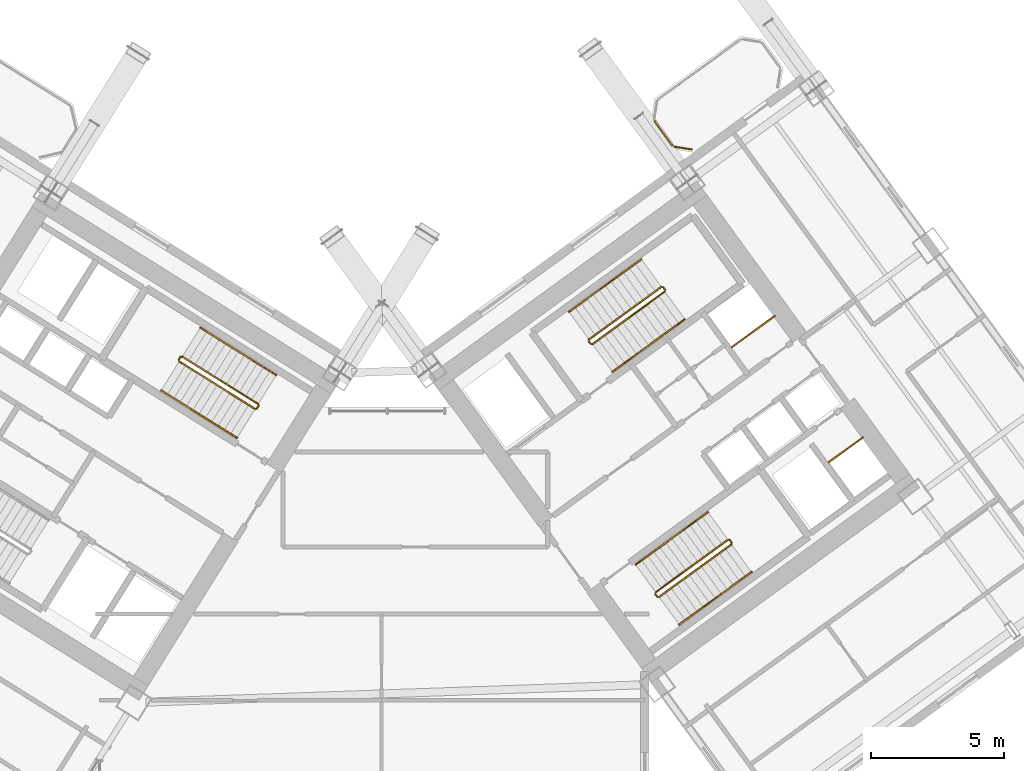
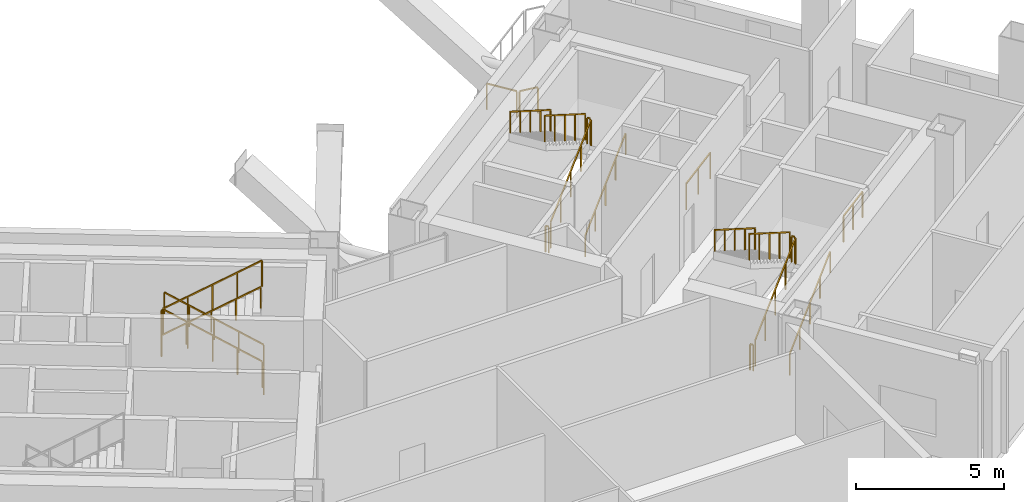
# One storey, part 29 of 30: 28 railings.
"""IFC4 building model written with IfcOpenShell, lengths in metres."""

from ifc_helpers import new_model, si_unit, direction, frame, origin, origin_2d, place, context, subcontext, project, spatial, rectangle, extrude, source, transform, mapped, material, type_object, element, save


model = new_model("IFC4")

# Units and contexts
model_context = context("Model", 3, precision=1e-05, world=origin(), true_north=direction((0.0, 1.0)))
body_context = subcontext(model_context, "Body", "Model", "MODEL_VIEW")
ifc_project = project(units=[si_unit("LENGTHUNIT", "METRE"), si_unit("AREAUNIT", "SQUARE_METRE"), si_unit("VOLUMEUNIT", "CUBIC_METRE"), si_unit("PLANEANGLEUNIT", "RADIAN"), si_unit("MASSUNIT", "GRAM", prefix="KILO")], contexts=[model_context])

# Site, building, storey
site_placement = place(None, origin())
site = spatial("IfcSite", under=ifc_project, at=site_placement, CompositionType="ELEMENT")
building_placement = place(site_placement, origin())
building = spatial("IfcBuilding", under=site, at=building_placement, Name="Tlacorven Tower", CompositionType="ELEMENT")
storey_placement = place(building_placement, frame((0.0, 0.0, 67.199951171875)))
storey = spatial("IfcBuildingStorey", under=building, at=storey_placement, Name="L17", CompositionType="ELEMENT", Elevation=67.199951171875)

# Railings
ifc_material = material(Name="Aluminium and painted steel balustrade", Category="steel")
railing_type_1 = type_object("IfcRailingType", Name="RL-GRD-1100", PredefinedType="GUARDRAIL", material=ifc_material)
shared_shape_1 = source(origin(), body_context, "Body", "SweptSolid", [
    extrude(rectangle(XDim=0.048095703125, YDim=0.048095703125, at=origin_2d()), frame((0.0, 0.0, 1.076171875), z_axis=(0.808947177504, 0.587881334972, 0.0), x_axis=(-0.587881334972, 0.808947177504, 0.0)), (0.0, 0.0, 1.0), 2.0),
    extrude(rectangle(XDim=0.0419921875, YDim=0.0419921875, at=origin_2d()), origin(), (0.0, 0.0, 1.0), 1.052001953125),
    extrude(rectangle(XDim=0.0419921875, YDim=0.0419921875, at=origin_2d()), frame((0.80908203125, 0.587890625, 0.0)), (0.0, 0.0, 1.0), 1.052001953125),
    extrude(rectangle(XDim=0.0419921875, YDim=0.0419921875, at=origin_2d()), frame((1.617919921875, 1.17578125, 0.0)), (0.0, 0.0, 1.0), 1.052001953125),
])
railing_1_placement = place(storey_placement, frame((55.506103515625, 25.438232421875, 0.0)))
element("IfcRailing", 1, at=railing_1_placement, inside=storey, type_object=railing_type_1, Name="L17 Electrical Riser E Shaft Guard 1", PredefinedType="GUARDRAIL", context=body_context, shape_type="MappedRepresentation", body=[
    mapped(shared_shape_1, transform((0.0, 0.0, 0.0), scale=1.0)),
])
shared_shape_2 = source(origin(), body_context, "Body", "SweptSolid", [
    extrude(rectangle(XDim=0.048095703125, YDim=0.048095703125, at=origin_2d()), frame((0.0, 0.0, 1.076171875), z_axis=(0.809029975545, 0.58776738483, 0.0), x_axis=(-0.58776738483, 0.809029975545, 0.0)), (0.0, 0.0, 1.0), 1.580078125),
    extrude(rectangle(XDim=0.0419921875, YDim=0.0419921875, at=origin_2d()), origin(), (0.0, 0.0, 1.0), 1.052001953125),
    extrude(rectangle(XDim=0.0419921875, YDim=0.0419921875, at=origin_2d()), frame((0.63916015625, 0.46435546875, 0.0)), (0.0, 0.0, 1.0), 1.052001953125),
    extrude(rectangle(XDim=0.0419921875, YDim=0.0419921875, at=origin_2d()), frame((1.2783203125, 0.9287109375, 0.0)), (0.0, 0.0, 1.0), 1.052001953125),
])
railing_2_placement = place(storey_placement, frame((59.160888671875, 21.122314453125, 0.0)))
element("IfcRailing", 2, at=railing_2_placement, inside=storey, type_object=railing_type_1, Name="L17 Smoke Riser E Shaft Guard 1", PredefinedType="GUARDRAIL", context=body_context, shape_type="MappedRepresentation", body=[
    mapped(shared_shape_2, transform((0.0, 0.0, 0.0), scale=1.0)),
])
railing_type_2 = type_object("IfcRailingType", Name="RL-BAL-1100", PredefinedType="BALUSTRADE", material=ifc_material)
shared_shape_3 = source(origin(), body_context, "Body", "SweptSolid", [
    extrude(rectangle(XDim=0.048095703125, YDim=0.048095703125, at=origin_2d()), frame((0.0, 0.0, 1.076171875), z_axis=(-0.987718317463, 0.156245081039, 0.0), x_axis=(-0.156245081039, -0.987718317463, 0.0)), (0.0, 0.0, 1.0), 0.66552734375),
    extrude(rectangle(XDim=0.0419921875, YDim=0.0419921875, at=origin_2d()), origin(), (0.0, 0.0, 1.0), 1.052001953125),
    extrude(rectangle(XDim=0.0419921875, YDim=0.0419921875, at=origin_2d()), frame((-0.657470703125, 0.10400390625, 0.0)), (0.0, 0.0, 1.0), 1.052001953125),
])
railing_3_placement = place(storey_placement, frame((54.00341796875, 32.8759765625, 0.0)))
element("IfcRailing", 3, at=railing_3_placement, inside=storey, type_object=railing_type_2, Name="BAL-L17-E-IN Guard Railing 1", PredefinedType="BALUSTRADE", context=body_context, shape_type="MappedRepresentation", body=[
    mapped(shared_shape_3, transform((0.0, 0.0, 0.0), scale=1.0)),
])
shared_shape_4 = source(origin(), body_context, "Body", "SweptSolid", [
    extrude(rectangle(XDim=0.048095703125, YDim=0.048095703125, at=origin_2d()), frame((0.0, 0.0, 1.076171875), z_axis=(-0.587740817519, 0.809049276263, 0.0), x_axis=(-0.809049276263, -0.587740817519, 0.0)), (0.0, 0.0, 1.0), 1.112060546875),
    extrude(rectangle(XDim=0.0419921875, YDim=0.0419921875, at=origin_2d()), origin(), (0.0, 0.0, 1.0), 1.052001953125),
    extrude(rectangle(XDim=0.0419921875, YDim=0.0419921875, at=origin_2d()), frame((-0.653564453125, 0.899658203125, 0.0)), (0.0, 0.0, 1.0), 1.052001953125),
])
railing_4_placement = place(storey_placement, frame((53.26708984375, 33.0283203125, 0.0)))
element("IfcRailing", 4, at=railing_4_placement, inside=storey, type_object=railing_type_2, Name="BAL-L17-E-IN Guard Railing 2", PredefinedType="BALUSTRADE", context=body_context, shape_type="MappedRepresentation", body=[
    mapped(shared_shape_4, transform((0.0, 0.0, 0.0), scale=1.0)),
])
shared_shape_5 = source(origin(), body_context, "Body", "SweptSolid", [
    extrude(rectangle(XDim=0.048095703125, YDim=0.048095703125, at=origin_2d()), frame((0.0, 0.0, 1.076171875), z_axis=(-0.530546985787, -0.847655529016, 0.0), x_axis=(0.847655529016, -0.530546985787, 0.0)), (0.0, 0.0, 1.0), 0.1201171875),
    extrude(rectangle(XDim=0.0419921875, YDim=0.0419921875, at=origin_2d()), origin(), (0.0, 0.0, 1.0), 1.052001953125),
    extrude(rectangle(XDim=0.0419921875, YDim=0.0419921875, at=origin_2d()), frame((-0.063720703125, -0.101806640625, 0.0)), (0.0, 0.0, 1.0), 1.052001953125),
])
for number, where, name in (
    (5, (34.7939453125, 25.07421875, 2.25), "L17 ST-W2 stair guard 2"),
    (6, (37.728271484375, 23.24072265625, 0.0), "L17 ST-W2 stair guard 4"),
):
    element("IfcRailing", number, at=place(storey_placement, frame(where)), inside=storey, type_object=railing_type_1, Name=name, PredefinedType="GUARDRAIL", context=body_context, shape_type="MappedRepresentation", body=[
        mapped(shared_shape_5, transform((0.0, 0.0, 0.0), scale=1.0)),
    ])
shared_shape_6 = source(origin(), body_context, "Body", "SweptSolid", [
    extrude(rectangle(XDim=0.048095703125, YDim=0.048095703125, at=origin_2d()), frame((0.0, 0.0, 1.076171875), z_axis=(-0.721354668439, 0.45076168254, 0.525795918465), x_axis=(-0.529927092104, -0.84804320471, 0.0)), (0.0, 0.0, 1.0), 3.949951171875),
    extrude(rectangle(XDim=0.0419921875, YDim=0.0419921875, at=origin_2d()), origin(), (0.0, 0.0, 1.0), 1.052001953125),
    extrude(rectangle(XDim=0.0419921875, YDim=0.0419921875, at=origin_2d()), frame((-0.71240234375, 0.445068359375, 0.519287109375)), (0.0, 0.0, 1.0), 1.052001953125),
    extrude(rectangle(XDim=0.0419921875, YDim=0.0419921875, at=origin_2d()), frame((-1.4248046875, 0.89013671875, 1.03857421875)), (0.0, 0.0, 1.0), 1.052001953125),
    extrude(rectangle(XDim=0.0419921875, YDim=0.0419921875, at=origin_2d()), frame((-2.136962890625, 1.33544921875, 1.5576171875)), (0.0, 0.0, 1.0), 1.052001953125),
    extrude(rectangle(XDim=0.0419921875, YDim=0.0419921875, at=origin_2d()), frame((-2.849365234375, 1.780517578125, 2.076904296875)), (0.0, 0.0, 1.0), 1.052001953125),
])
railing_5_placement = place(storey_placement, frame((37.712158203125, 23.3095703125, 0.173095703125)))
element("IfcRailing", 7, at=railing_5_placement, inside=storey, type_object=railing_type_1, Name="L17 ST-W2 stair guard 1", PredefinedType="GUARDRAIL", context=body_context, shape_type="MappedRepresentation", body=[
    mapped(shared_shape_6, transform((0.0, 0.0, 0.0), scale=1.0)),
])
railing_type_3 = type_object("IfcRailingType", Name="RL-HND-0900", PredefinedType="HANDRAIL", material=ifc_material)
shared_shape_7 = source(origin(), body_context, "Body", "SweptSolid", [
    extrude(rectangle(XDim=0.048095703125, YDim=0.048095703125, at=origin_2d()), frame((0.0, 0.0, 0.8759765625), z_axis=(-0.721340775611, 0.4507761838, 0.52580254617), x_axis=(-0.529946692594, -0.848030956397, 0.0)), (0.0, 0.0, 1.0), 1.97509765625),
    extrude(rectangle(XDim=0.0419921875, YDim=0.0419921875, at=origin_2d()), origin(), (0.0, 0.0, 1.0), 0.851806640625),
    extrude(rectangle(XDim=0.0419921875, YDim=0.0419921875, at=origin_2d()), frame((-0.71240234375, 0.4453125, 0.519287109375)), (0.0, 0.0, 1.0), 0.851806640625),
    extrude(rectangle(XDim=0.0419921875, YDim=0.0419921875, at=origin_2d()), frame((-1.4248046875, 0.890380859375, 1.03857421875)), (0.0, 0.0, 1.0), 0.851806640625),
])
railing_6_placement = place(storey_placement, frame((38.390625, 24.39501953125, 0.173095703125)))
element("IfcRailing", 8, at=railing_6_placement, inside=storey, type_object=railing_type_3, Name="L17 ST-W2 stair handrail 1", PredefinedType="HANDRAIL", context=body_context, shape_type="MappedRepresentation", body=[
    mapped(shared_shape_7, transform((0.0, 0.0, 0.0), scale=1.0)),
])
shared_shape_8 = source(origin(), body_context, "Body", "SweptSolid", [
    extrude(rectangle(XDim=0.048095703125, YDim=0.048095703125, at=origin_2d()), frame((0.0, 0.0, 0.8759765625), z_axis=(-0.721427851237, 0.45070698177, 0.525742400842), x_axis=(-0.52984217967, -0.848096259066, 0.0)), (0.0, 0.0, 1.0), 1.97509765625),
    extrude(rectangle(XDim=0.0419921875, YDim=0.0419921875, at=origin_2d()), origin(), (0.0, 0.0, 1.0), 0.851806640625),
    extrude(rectangle(XDim=0.0419921875, YDim=0.0419921875, at=origin_2d()), frame((-0.71240234375, 0.445068359375, 0.51904296875)), (0.0, 0.0, 1.0), 0.851806640625),
    extrude(rectangle(XDim=0.0419921875, YDim=0.0419921875, at=origin_2d()), frame((-1.4248046875, 0.89013671875, 1.038330078125)), (0.0, 0.0, 1.0), 0.851806640625),
])
railing_7_placement = place(storey_placement, frame((36.9658203125, 25.285400390625, 1.211669921875)))
element("IfcRailing", 9, at=railing_7_placement, inside=storey, type_object=railing_type_3, Name="L17 ST-W2 stair handrail 2", PredefinedType="HANDRAIL", context=body_context, shape_type="MappedRepresentation", body=[
    mapped(shared_shape_8, transform((0.0, 0.0, 0.0), scale=1.0)),
])
shared_shape_9 = source(origin(), body_context, "Body", "SweptSolid", [
    extrude(rectangle(XDim=0.048095703125, YDim=0.048095703125, at=origin_2d()), frame((0.0, 0.0, 0.8759765625), z_axis=(0.721387654753, -0.450805479247, 0.525713107551), x_axis=(0.529946692594, 0.848030956397, 0.0)), (0.0, 0.0, 1.0), 1.97509765625),
    extrude(rectangle(XDim=0.0419921875, YDim=0.0419921875, at=origin_2d()), origin(), (0.0, 0.0, 1.0), 0.851806640625),
    extrude(rectangle(XDim=0.0419921875, YDim=0.0419921875, at=origin_2d()), frame((0.71240234375, -0.4453125, 0.51904296875)), (0.0, 0.0, 1.0), 0.851806640625),
    extrude(rectangle(XDim=0.0419921875, YDim=0.0419921875, at=origin_2d()), frame((1.4248046875, -0.890380859375, 1.038330078125)), (0.0, 0.0, 1.0), 0.851806640625),
])
railing_8_placement = place(storey_placement, frame((35.49267578125, 22.927734375, 3.461669921875)))
element("IfcRailing", 10, at=railing_8_placement, inside=storey, type_object=railing_type_3, Name="L17 ST-W2 stair handrail 4", PredefinedType="HANDRAIL", context=body_context, shape_type="MappedRepresentation", body=[
    mapped(shared_shape_9, transform((0.0, 0.0, 0.0), scale=1.0)),
])
shared_shape_10 = source(origin(), body_context, "Body", "SweptSolid", [
    extrude(rectangle(XDim=0.048095703125, YDim=0.048095703125, at=origin_2d()), frame((0.0, 0.0, 1.076171875), z_axis=(0.721354668439, -0.45076168254, 0.525795918465), x_axis=(0.529927092104, 0.84804320471, 0.0)), (0.0, 0.0, 1.0), 3.949951171875),
    extrude(rectangle(XDim=0.0419921875, YDim=0.0419921875, at=origin_2d()), origin(), (0.0, 0.0, 1.0), 1.052001953125),
    extrude(rectangle(XDim=0.0419921875, YDim=0.0419921875, at=origin_2d()), frame((0.71240234375, -0.445068359375, 0.519287109375)), (0.0, 0.0, 1.0), 1.052001953125),
    extrude(rectangle(XDim=0.0419921875, YDim=0.0419921875, at=origin_2d()), frame((1.4248046875, -0.89013671875, 1.03857421875)), (0.0, 0.0, 1.0), 1.052001953125),
    extrude(rectangle(XDim=0.0419921875, YDim=0.0419921875, at=origin_2d()), frame((2.136962890625, -1.33544921875, 1.5576171875)), (0.0, 0.0, 1.0), 1.052001953125),
    extrude(rectangle(XDim=0.0419921875, YDim=0.0419921875, at=origin_2d()), frame((2.849365234375, -1.780517578125, 2.076904296875)), (0.0, 0.0, 1.0), 1.052001953125),
])
railing_9_placement = place(storey_placement, frame((34.746337890625, 24.903564453125, 2.423095703125)))
element("IfcRailing", 11, at=railing_9_placement, inside=storey, type_object=railing_type_1, Name="L17 ST-W2 stair guard 3", PredefinedType="GUARDRAIL", context=body_context, shape_type="MappedRepresentation", body=[
    mapped(shared_shape_10, transform((0.0, 0.0, 0.0), scale=1.0)),
])
shared_shape_11 = source(origin(), body_context, "Body", "SweptSolid", [
    extrude(rectangle(XDim=0.048095703125, YDim=0.048095703125, at=origin_2d()), frame((0.0, 0.0, 0.8759765625), z_axis=(0.721380964259, -0.45067768946, 0.525831840637), x_axis=(0.52984217967, 0.848096259066, 0.0)), (0.0, 0.0, 1.0), 1.97509765625),
    extrude(rectangle(XDim=0.0419921875, YDim=0.0419921875, at=origin_2d()), origin(), (0.0, 0.0, 1.0), 0.851806640625),
    extrude(rectangle(XDim=0.0419921875, YDim=0.0419921875, at=origin_2d()), frame((0.71240234375, -0.445068359375, 0.519287109375)), (0.0, 0.0, 1.0), 0.851806640625),
    extrude(rectangle(XDim=0.0419921875, YDim=0.0419921875, at=origin_2d()), frame((1.4248046875, -0.89013671875, 1.03857421875)), (0.0, 0.0, 1.0), 0.851806640625),
])
railing_10_placement = place(storey_placement, frame((34.06787109375, 23.81787109375, 2.423095703125)))
element("IfcRailing", 12, at=railing_10_placement, inside=storey, type_object=railing_type_3, Name="L17 ST-W2 stair handrail 3", PredefinedType="HANDRAIL", context=body_context, shape_type="MappedRepresentation", body=[
    mapped(shared_shape_11, transform((0.0, 0.0, 0.0), scale=1.0)),
])
shared_shape_12 = source(origin(), body_context, "Body", "SweptSolid", [
    extrude(rectangle(XDim=0.048095703125, YDim=0.048095703125, at=origin_2d()), frame((0.0, 0.0, 1.076171875), z_axis=(-0.587567097037, 0.809175448515, 0.0), x_axis=(-0.809175448515, -0.587567097037, 0.0)), (0.0, 0.0, 1.0), 0.1201171875),
    extrude(rectangle(XDim=0.0419921875, YDim=0.0419921875, at=origin_2d()), origin(), (0.0, 0.0, 1.0), 1.052001953125),
    extrude(rectangle(XDim=0.0419921875, YDim=0.0419921875, at=origin_2d()), frame((-0.070556640625, 0.09716796875, 0.0)), (0.0, 0.0, 1.0), 1.052001953125),
])
for number, where, name in (
    (13, (53.006591796875, 27.6025390625, 2.25), "L17 ST-E1 stair guard 2"),
    (14, (55.510498046875, 18.099365234375, 2.25), "L17 ST-E2 stair guard 2"),
    (15, (52.71142578125, 16.065673828125, 0.0), "L17 ST-E2 stair guard 4"),
):
    element("IfcRailing", number, at=place(storey_placement, frame(where)), inside=storey, type_object=railing_type_1, Name=name, PredefinedType="GUARDRAIL", context=body_context, shape_type="MappedRepresentation", body=[
        mapped(shared_shape_12, transform((0.0, 0.0, 0.0), scale=1.0)),
    ])
shared_shape_13 = source(origin(), body_context, "Body", "SweptSolid", [
    extrude(rectangle(XDim=0.048095703125, YDim=0.048095703125, at=origin_2d()), frame((0.0, 0.0, 1.076171875), z_axis=(-0.587201422542, 0.809440849824, 0.0), x_axis=(-0.809440849824, -0.587201422542, 0.0)), (0.0, 0.0, 1.0), 0.11962890625),
    extrude(rectangle(XDim=0.0419921875, YDim=0.0419921875, at=origin_2d()), origin(), (0.0, 0.0, 1.0), 1.052001953125),
    extrude(rectangle(XDim=0.0419921875, YDim=0.0419921875, at=origin_2d()), frame((-0.0703125, 0.096923828125, 0.0)), (0.0, 0.0, 1.0), 1.052001953125),
])
railing_11_placement = place(storey_placement, frame((50.207275390625, 25.56884765625, 0.0)))
element("IfcRailing", 16, at=railing_11_placement, inside=storey, type_object=railing_type_1, Name="L17 ST-E1 stair guard 4", PredefinedType="GUARDRAIL", context=body_context, shape_type="MappedRepresentation", body=[
    mapped(shared_shape_13, transform((0.0, 0.0, 0.0), scale=1.0)),
])
shared_shape_14 = source(origin(), body_context, "Body", "SweptSolid", [
    extrude(rectangle(XDim=0.048095703125, YDim=0.048095703125, at=origin_2d()), frame((0.0, 0.0, 1.076171875), z_axis=(0.688166980386, 0.499962520599, 0.525798141023), x_axis=(-0.587769819143, 0.809028206989, 0.0)), (0.0, 0.0, 1.0), 3.949951171875),
    extrude(rectangle(XDim=0.0419921875, YDim=0.0419921875, at=origin_2d()), origin(), (0.0, 0.0, 1.0), 1.052001953125),
    extrude(rectangle(XDim=0.0419921875, YDim=0.0419921875, at=origin_2d()), frame((0.6796875, 0.49365234375, 0.519287109375)), (0.0, 0.0, 1.0), 1.052001953125),
    extrude(rectangle(XDim=0.0419921875, YDim=0.0419921875, at=origin_2d()), frame((1.359130859375, 0.9873046875, 1.03857421875)), (0.0, 0.0, 1.0), 1.052001953125),
    extrude(rectangle(XDim=0.0419921875, YDim=0.0419921875, at=origin_2d()), frame((2.03857421875, 1.481201171875, 1.5576171875)), (0.0, 0.0, 1.0), 1.052001953125),
    extrude(rectangle(XDim=0.0419921875, YDim=0.0419921875, at=origin_2d()), frame((2.71826171875, 1.974853515625, 2.076904296875)), (0.0, 0.0, 1.0), 1.052001953125),
])
for number, where, name in (
    (17, (50.27734375, 25.557861328125, 0.173095703125), "L17 ST-E1 stair guard 1"),
    (18, (52.78125, 16.0546875, 0.173095703125), "L17 ST-E2 stair guard 1"),
):
    element("IfcRailing", number, at=place(storey_placement, frame(where)), inside=storey, type_object=railing_type_1, Name=name, PredefinedType="GUARDRAIL", context=body_context, shape_type="MappedRepresentation", body=[
        mapped(shared_shape_14, transform((0.0, 0.0, 0.0), scale=1.0)),
    ])
shared_shape_15 = source(origin(), body_context, "Body", "SweptSolid", [
    extrude(rectangle(XDim=0.048095703125, YDim=0.048095703125, at=origin_2d()), frame((0.0, 0.0, 1.076171875), z_axis=(-0.688166980386, -0.499962520599, 0.525798141023), x_axis=(0.587769819143, -0.809028206989, 0.0)), (0.0, 0.0, 1.0), 3.949951171875),
    extrude(rectangle(XDim=0.0419921875, YDim=0.0419921875, at=origin_2d()), origin(), (0.0, 0.0, 1.0), 1.052001953125),
    extrude(rectangle(XDim=0.0419921875, YDim=0.0419921875, at=origin_2d()), frame((-0.6796875, -0.49365234375, 0.519287109375)), (0.0, 0.0, 1.0), 1.052001953125),
    extrude(rectangle(XDim=0.0419921875, YDim=0.0419921875, at=origin_2d()), frame((-1.359130859375, -0.9873046875, 1.03857421875)), (0.0, 0.0, 1.0), 1.052001953125),
    extrude(rectangle(XDim=0.0419921875, YDim=0.0419921875, at=origin_2d()), frame((-2.03857421875, -1.481201171875, 1.5576171875)), (0.0, 0.0, 1.0), 1.052001953125),
    extrude(rectangle(XDim=0.0419921875, YDim=0.0419921875, at=origin_2d()), frame((-2.71826171875, -1.974853515625, 2.076904296875)), (0.0, 0.0, 1.0), 1.052001953125),
])
for number, where, name in (
    (19, (52.8662109375, 27.710693359375, 2.423095703125), "L17 ST-E1 stair guard 3"),
    (20, (55.3701171875, 18.20751953125, 2.423095703125), "L17 ST-E2 stair guard 3"),
):
    element("IfcRailing", number, at=place(storey_placement, frame(where)), inside=storey, type_object=railing_type_1, Name=name, PredefinedType="GUARDRAIL", context=body_context, shape_type="MappedRepresentation", body=[
        mapped(shared_shape_15, transform((0.0, 0.0, 0.0), scale=1.0)),
    ])
shared_shape_16 = source(origin(), body_context, "Body", "SweptSolid", [
    extrude(rectangle(XDim=0.048095703125, YDim=0.048095703125, at=origin_2d()), frame((0.0, 0.0, 0.8759765625), z_axis=(0.688123352181, 0.499992627909, 0.525826610414), x_axis=(-0.587817375869, 0.808993654256, 0.0)), (0.0, 0.0, 1.0), 1.97509765625),
    extrude(rectangle(XDim=0.0419921875, YDim=0.0419921875, at=origin_2d()), origin(), (0.0, 0.0, 1.0), 0.851806640625),
    extrude(rectangle(XDim=0.0419921875, YDim=0.0419921875, at=origin_2d()), frame((0.6796875, 0.49365234375, 0.519287109375)), (0.0, 0.0, 1.0), 0.851806640625),
    extrude(rectangle(XDim=0.0419921875, YDim=0.0419921875, at=origin_2d()), frame((1.359130859375, 0.987548828125, 1.03857421875)), (0.0, 0.0, 1.0), 0.851806640625),
])
for number, where, name in (
    (21, (51.029541015625, 24.522216796875, 0.173095703125), "L17 ST-E1 stair handrail 1"),
    (22, (53.53369140625, 15.01904296875, 0.173095703125), "L17 ST-E2 stair handrail 1"),
):
    element("IfcRailing", number, at=place(storey_placement, frame(where)), inside=storey, type_object=railing_type_3, Name=name, PredefinedType="HANDRAIL", context=body_context, shape_type="MappedRepresentation", body=[
        mapped(shared_shape_16, transform((0.0, 0.0, 0.0), scale=1.0)),
    ])
shared_shape_17 = source(origin(), body_context, "Body", "SweptSolid", [
    extrude(rectangle(XDim=0.048095703125, YDim=0.048095703125, at=origin_2d()), frame((0.0, 0.0, 0.8759765625), z_axis=(0.688210611632, 0.49993240766, 0.525769666117), x_axis=(-0.587722256323, 0.809062759879, 0.0)), (0.0, 0.0, 1.0), 1.974853515625),
    extrude(rectangle(XDim=0.0419921875, YDim=0.0419921875, at=origin_2d()), origin(), (0.0, 0.0, 1.0), 0.851806640625),
    extrude(rectangle(XDim=0.0419921875, YDim=0.0419921875, at=origin_2d()), frame((0.6796875, 0.49365234375, 0.51904296875)), (0.0, 0.0, 1.0), 0.851806640625),
    extrude(rectangle(XDim=0.0419921875, YDim=0.0419921875, at=origin_2d()), frame((1.359130859375, 0.9873046875, 1.038330078125)), (0.0, 0.0, 1.0), 0.851806640625),
])
railing_12_placement = place(storey_placement, frame((52.388671875, 25.509765625, 1.211669921875)))
element("IfcRailing", 23, at=railing_12_placement, inside=storey, type_object=railing_type_3, Name="L17 ST-E1 stair handrail 2", PredefinedType="HANDRAIL", context=body_context, shape_type="MappedRepresentation", body=[
    mapped(shared_shape_17, transform((0.0, 0.0, 0.0), scale=1.0)),
])
shared_shape_18 = source(origin(), body_context, "Body", "SweptSolid", [
    extrude(rectangle(XDim=0.048095703125, YDim=0.048095703125, at=origin_2d()), frame((0.0, 0.0, 0.8759765625), z_axis=(-0.688123352181, -0.499992627909, 0.525826610414), x_axis=(0.587817375869, -0.808993654256, 0.0)), (0.0, 0.0, 1.0), 1.97509765625),
    extrude(rectangle(XDim=0.0419921875, YDim=0.0419921875, at=origin_2d()), origin(), (0.0, 0.0, 1.0), 0.851806640625),
    extrude(rectangle(XDim=0.0419921875, YDim=0.0419921875, at=origin_2d()), frame((-0.6796875, -0.49365234375, 0.519287109375)), (0.0, 0.0, 1.0), 0.851806640625),
    extrude(rectangle(XDim=0.0419921875, YDim=0.0419921875, at=origin_2d()), frame((-1.359130859375, -0.987548828125, 1.03857421875)), (0.0, 0.0, 1.0), 0.851806640625),
])
for number, where, name in (
    (24, (52.11376953125, 28.746337890625, 2.423095703125), "L17 ST-E1 stair handrail 3"),
    (25, (54.617919921875, 19.2431640625, 2.423095703125), "L17 ST-E2 stair handrail 3"),
):
    element("IfcRailing", number, at=place(storey_placement, frame(where)), inside=storey, type_object=railing_type_3, Name=name, PredefinedType="HANDRAIL", context=body_context, shape_type="MappedRepresentation", body=[
        mapped(shared_shape_18, transform((0.0, 0.0, 0.0), scale=1.0)),
    ])
shared_shape_19 = source(origin(), body_context, "Body", "SweptSolid", [
    extrude(rectangle(XDim=0.048095703125, YDim=0.048095703125, at=origin_2d()), frame((0.0, 0.0, 0.8759765625), z_axis=(-0.688168076653, -0.500025124854, 0.525737170829), x_axis=(0.587817375869, -0.808993654256, 0.0)), (0.0, 0.0, 1.0), 1.97509765625),
    extrude(rectangle(XDim=0.0419921875, YDim=0.0419921875, at=origin_2d()), origin(), (0.0, 0.0, 1.0), 0.851806640625),
    extrude(rectangle(XDim=0.0419921875, YDim=0.0419921875, at=origin_2d()), frame((-0.6796875, -0.49365234375, 0.51904296875)), (0.0, 0.0, 1.0), 0.851806640625),
    extrude(rectangle(XDim=0.0419921875, YDim=0.0419921875, at=origin_2d()), frame((-1.359130859375, -0.987548828125, 1.038330078125)), (0.0, 0.0, 1.0), 0.851806640625),
])
for number, where, name in (
    (26, (50.754638671875, 27.7587890625, 3.461669921875), "L17 ST-E1 stair handrail 4"),
    (27, (53.2587890625, 18.255615234375, 3.461669921875), "L17 ST-E2 stair handrail 4"),
):
    element("IfcRailing", number, at=place(storey_placement, frame(where)), inside=storey, type_object=railing_type_3, Name=name, PredefinedType="HANDRAIL", context=body_context, shape_type="MappedRepresentation", body=[
        mapped(shared_shape_19, transform((0.0, 0.0, 0.0), scale=1.0)),
    ])
shared_shape_20 = source(origin(), body_context, "Body", "SweptSolid", [
    extrude(rectangle(XDim=0.048095703125, YDim=0.048095703125, at=origin_2d()), frame((0.0, 0.0, 0.8759765625), z_axis=(0.688168076653, 0.500025124854, 0.525737170829), x_axis=(-0.587817375869, 0.808993654256, 0.0)), (0.0, 0.0, 1.0), 1.97509765625),
    extrude(rectangle(XDim=0.0419921875, YDim=0.0419921875, at=origin_2d()), origin(), (0.0, 0.0, 1.0), 0.851806640625),
    extrude(rectangle(XDim=0.0419921875, YDim=0.0419921875, at=origin_2d()), frame((0.6796875, 0.49365234375, 0.51904296875)), (0.0, 0.0, 1.0), 0.851806640625),
    extrude(rectangle(XDim=0.0419921875, YDim=0.0419921875, at=origin_2d()), frame((1.359130859375, 0.987548828125, 1.038330078125)), (0.0, 0.0, 1.0), 0.851806640625),
])
railing_13_placement = place(storey_placement, frame((54.892822265625, 16.006591796875, 1.211669921875)))
element("IfcRailing", 28, at=railing_13_placement, inside=storey, type_object=railing_type_3, Name="L17 ST-E2 stair handrail 2", PredefinedType="HANDRAIL", context=body_context, shape_type="MappedRepresentation", body=[
    mapped(shared_shape_20, transform((0.0, 0.0, 0.0), scale=1.0)),
])

save(model, "model.ifc")
